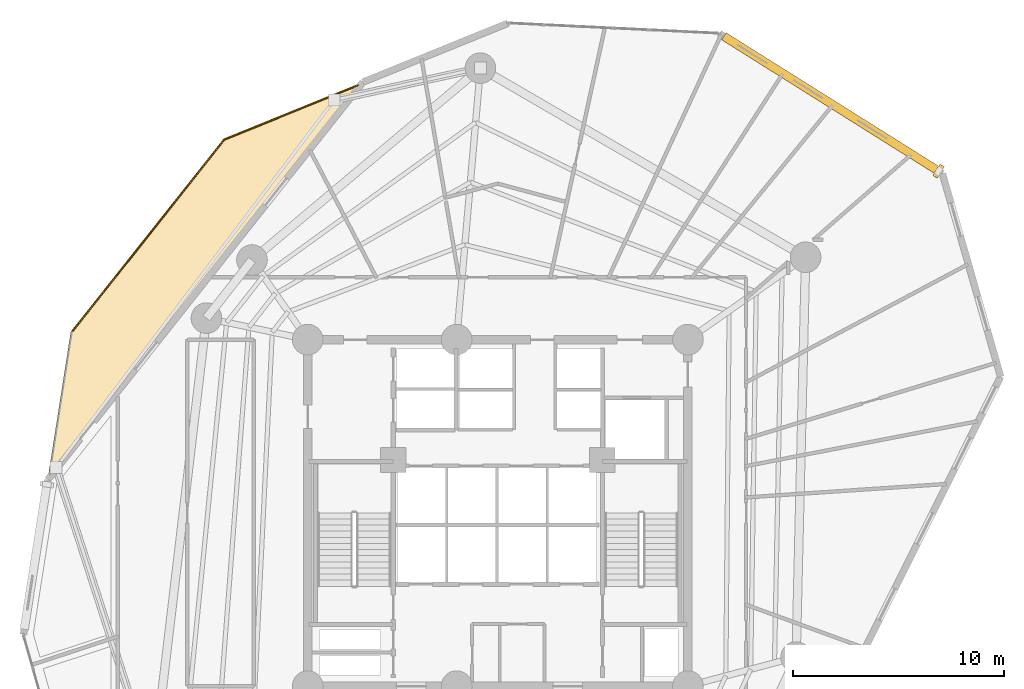
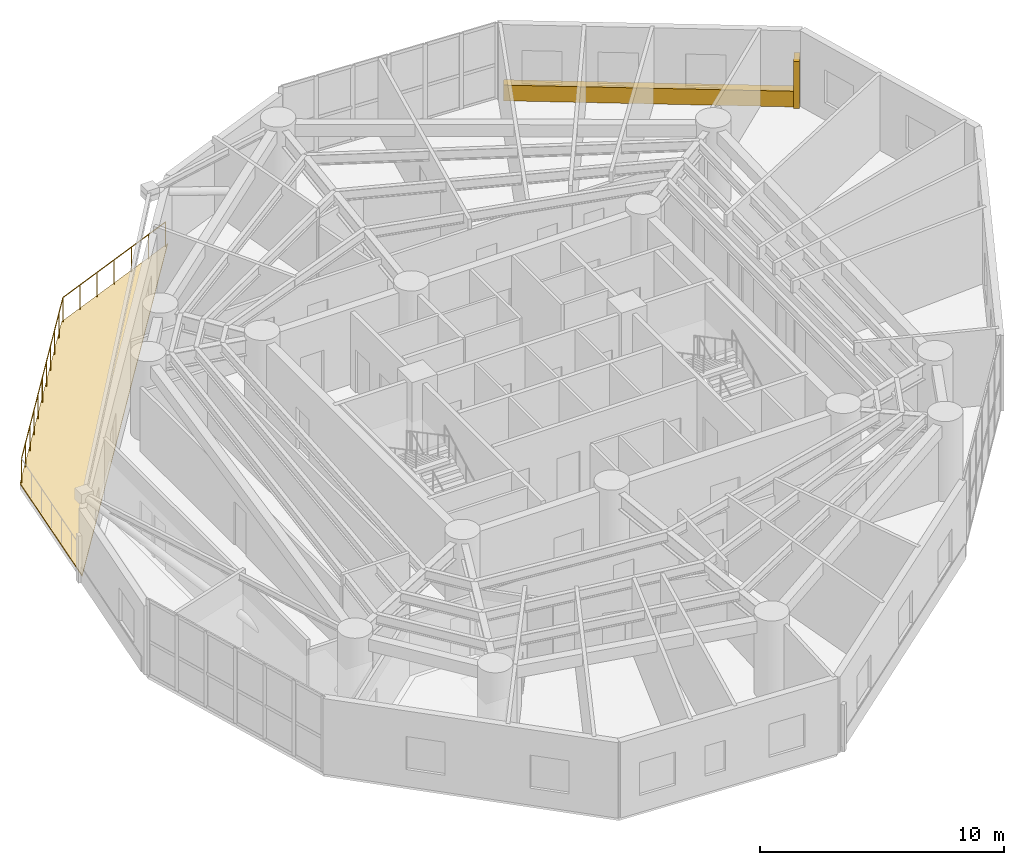
# One storey, part 14 of 14: 2 coverings, 2 railings, 1 shading device.
"""IFC4 building model written with IfcOpenShell, lengths in metres."""

from ifc_helpers import new_model, si_unit, direction, frame, origin, origin_with_axes, origin_2d, place, context, subcontext, project, spatial, polyline, rectangle, circle, outline, extrude, source, transform, mapped, material, layer, layer_set, type_object, element, save


model = new_model("IFC4")

# Units and contexts
model_context = context("Model", 3, precision=1e-05, world=origin(), true_north=direction((0.0, 1.0)))
body_context = subcontext(model_context, "Body", "Model", "MODEL_VIEW")
ifc_project = project(units=[si_unit("LENGTHUNIT", "METRE"), si_unit("AREAUNIT", "SQUARE_METRE"), si_unit("VOLUMEUNIT", "CUBIC_METRE"), si_unit("PLANEANGLEUNIT", "RADIAN"), si_unit("MASSUNIT", "GRAM", prefix="KILO")], contexts=[model_context])

# Site, building, storey
site_placement = place(None, origin())
site = spatial("IfcSite", under=ifc_project, at=site_placement, CompositionType="ELEMENT")
building_placement = place(site_placement, origin())
building = spatial("IfcBuilding", under=site, at=building_placement, Name="Karkom Vertical University and Central Library", CompositionType="ELEMENT")
storey_placement = place(building_placement, frame((0.0, 0.0, 92.199951171875)))
storey = spatial("IfcBuildingStorey", under=building, at=storey_placement, Name="L24", CompositionType="ELEMENT", Elevation=92.199951171875)

# Covering
ifc_material_1 = material(Name="EPDM membrane with Kota stone ballast roofing", Category="masonry")
ifc_layer_1 = layer(ifc_material_1, 0.080078125)
ifc_layer_set_1 = layer_set([ifc_layer_1], Name="EPDM membrane with Kota stone ballast roofing")
covering_type_1 = type_object("IfcCoveringType", Name="ENV-COV-ROOF", PredefinedType="ROOFING", material=ifc_layer_set_1)
covering_1_placement = place(storey_placement, origin())
element("IfcCovering", 1, at=covering_1_placement, inside=storey, type_object=covering_type_1, Name="Level 24 Spiral Sky Garden Waterproofing Covering", PredefinedType="ROOFING", context=body_context, shape_type="SweptSolid", body=[
    extrude(outline(polyline([(8.286865234375, 35.089111328125), (15.522216796875, 44.2177734375), (22.07373046875, 46.87841796875), (7.1923828125, 28.10302734375), (8.286865234375, 35.089111328125)])), origin(), (0.0, 0.0, 1.0), 0.06005859375),
])

# Railings
ifc_material_2 = material(Name="Architectural painted steel & laminated glass balustrade", Category="steel")
ifc_layer_2 = layer(ifc_material_2, 0.090087890625)
ifc_layer_set_2 = layer_set([ifc_layer_2], Name="Architectural painted steel & laminated glass balustrade")
railing_type = type_object("IfcRailingType", Name="ENV-RL-BAL1300", PredefinedType="BALUSTRADE", material=ifc_layer_set_2)
railing_1_placement = place(storey_placement, frame((8.343505859375, 35.064208984375, 0.0)))
element("IfcRailing", 2, at=railing_1_placement, inside=storey, type_object=railing_type, Name="Level 24 Planted Terrace Safety Balustrade 01", PredefinedType="BALUSTRADE", context=body_context, shape_type="SweptSolid", body=[
    extrude(circle(Radius=0.02392578125, at=origin_2d()), frame((0.0, 0.0, 1.27587890625), z_axis=(0.62115178414, 0.783690283888, 0.0), x_axis=(-0.783690283888, 0.62115178414, 0.0)), (0.0, 0.0, 1.0), 11.616943359375),
    extrude(circle(Radius=0.02099609375, at=origin_2d()), origin(), (0.0, 0.0, 1.0), 1.251953125),
    extrude(circle(Radius=0.02099609375, at=origin_2d()), frame((0.7216796875, 0.910400390625, 0.0)), (0.0, 0.0, 1.0), 1.251953125),
    extrude(circle(Radius=0.02099609375, at=origin_2d()), frame((1.443115234375, 1.82080078125, 0.0)), (0.0, 0.0, 1.0), 1.251953125),
    extrude(circle(Radius=0.02099609375, at=origin_2d()), frame((2.164794921875, 2.731201171875, 0.0)), (0.0, 0.0, 1.0), 1.251953125),
    extrude(circle(Radius=0.02099609375, at=origin_2d()), frame((2.88623046875, 3.6416015625, 0.0)), (0.0, 0.0, 1.0), 1.251953125),
    extrude(circle(Radius=0.02099609375, at=origin_2d()), frame((3.60791015625, 4.552001953125, 0.0)), (0.0, 0.0, 1.0), 1.251953125),
    extrude(circle(Radius=0.02099609375, at=origin_2d()), frame((4.32958984375, 5.46240234375, 0.0)), (0.0, 0.0, 1.0), 1.251953125),
    extrude(circle(Radius=0.02099609375, at=origin_2d()), frame((5.051025390625, 6.372802734375, 0.0)), (0.0, 0.0, 1.0), 1.251953125),
    extrude(circle(Radius=0.02099609375, at=origin_2d()), frame((5.772705078125, 7.283203125, 0.0)), (0.0, 0.0, 1.0), 1.251953125),
    extrude(circle(Radius=0.02099609375, at=origin_2d()), frame((6.494140625, 8.193603515625, 0.0)), (0.0, 0.0, 1.0), 1.251953125),
    extrude(circle(Radius=0.02099609375, at=origin_2d()), frame((7.2158203125, 9.10400390625, 0.0)), (0.0, 0.0, 1.0), 1.251953125),
])
railing_2_placement = place(storey_placement, frame((15.559326171875, 44.168212890625, 0.0)))
element("IfcRailing", 3, at=railing_2_placement, inside=storey, type_object=railing_type, Name="Level 24 Planted Terrace Safety Balustrade 02", PredefinedType="BALUSTRADE", context=body_context, shape_type="SweptSolid", body=[
    extrude(circle(Radius=0.02392578125, at=origin_2d()), frame((0.0, 0.0, 1.27587890625), z_axis=(0.926503200488, 0.376286884552, 0.0), x_axis=(-0.376286884552, 0.926503200488, 0.0)), (0.0, 0.0, 1.0), 6.827392578125),
    extrude(circle(Radius=0.02099609375, at=origin_2d()), origin(), (0.0, 0.0, 1.0), 1.251953125),
    extrude(circle(Radius=0.02099609375, at=origin_2d()), frame((1.05419921875, 0.42822265625, 0.0)), (0.0, 0.0, 1.0), 1.251953125),
    extrude(circle(Radius=0.02099609375, at=origin_2d()), frame((2.108642578125, 0.8564453125, 0.0)), (0.0, 0.0, 1.0), 1.251953125),
    extrude(circle(Radius=0.02099609375, at=origin_2d()), frame((3.162841796875, 1.28466796875, 0.0)), (0.0, 0.0, 1.0), 1.251953125),
    extrude(circle(Radius=0.02099609375, at=origin_2d()), frame((4.217041015625, 1.712646484375, 0.0)), (0.0, 0.0, 1.0), 1.251953125),
    extrude(circle(Radius=0.02099609375, at=origin_2d()), frame((5.271484375, 2.140869140625, 0.0)), (0.0, 0.0, 1.0), 1.251953125),
    extrude(circle(Radius=0.02099609375, at=origin_2d()), frame((6.32568359375, 2.569091796875, 0.0)), (0.0, 0.0, 1.0), 1.251953125),
])

# Shading device
ifc_material_3 = material(Name="Terracotta-clad precast concrete sun-breaker fin C45/55", Category="masonry")
shading_device_type = type_object("IfcShadingDeviceType", Name="ENV-SHD-BRISE", PredefinedType="USERDEFINED", material=ifc_material_3)
shared_shape_1 = source(origin_with_axes(), body_context, "Body", "SweptSolid", [
    extrude(rectangle(XDim=0.239990234375, YDim=0.639892578125, at=origin_2d()), origin(), (0.0, 0.0, 1.0), 2.35009765625),
])
shading_device_placement = place(storey_placement, frame((49.365966796875, 42.677978515625, 0.0), z_axis=(0.0, 0.0, 1.0), x_axis=(-0.846843565628, 0.531842058656, 0.0)))
element("IfcShadingDevice", 4, at=shading_device_placement, inside=storey, type_object=shading_device_type, Name="Level 24 Brutalist Brise-Soleil Fin 09", ObjectType="BRISE SOLEIL", PredefinedType="USERDEFINED", context=body_context, shape_type="MappedRepresentation", body=[
    mapped(shared_shape_1, transform((0.0, 0.0, 0.0), scale=1.0)),
])

# Covering
ifc_material_4 = material(Name="Hand-pressed red-ochre terracotta brick slip cladding", Category="masonry")
ifc_layer_3 = layer(ifc_material_4, 0.090087890625)
ifc_layer_set_3 = layer_set([ifc_layer_3], Name="Hand-pressed red-ochre terracotta brick slip cladding")
covering_type_2 = type_object("IfcCoveringType", Name="ENV-COV-CLAD", PredefinedType="CLADDING", material=ifc_layer_set_3)
shared_shape_2 = source(origin_with_axes(), body_context, "Body", "SweptSolid", [
    extrude(rectangle(XDim=11.97412109375, YDim=0.39990234375, at=origin_2d()), origin(), (0.0, 0.0, 1.0), 0.780029296875),
])
covering_2_placement = place(storey_placement, frame((44.270751953125, 45.8779296875, 0.0), z_axis=(0.0, 0.0, 1.0), x_axis=(-0.846843565628, 0.531842058656, 0.0)))
element("IfcCovering", 5, at=covering_2_placement, inside=storey, type_object=covering_type_2, Name="Level 24 Terracotta Spandrel Cladding 09", PredefinedType="CLADDING", context=body_context, shape_type="MappedRepresentation", body=[
    mapped(shared_shape_2, transform((0.0, 0.0, 0.0), scale=1.0)),
])

save(model, "model.ifc")
